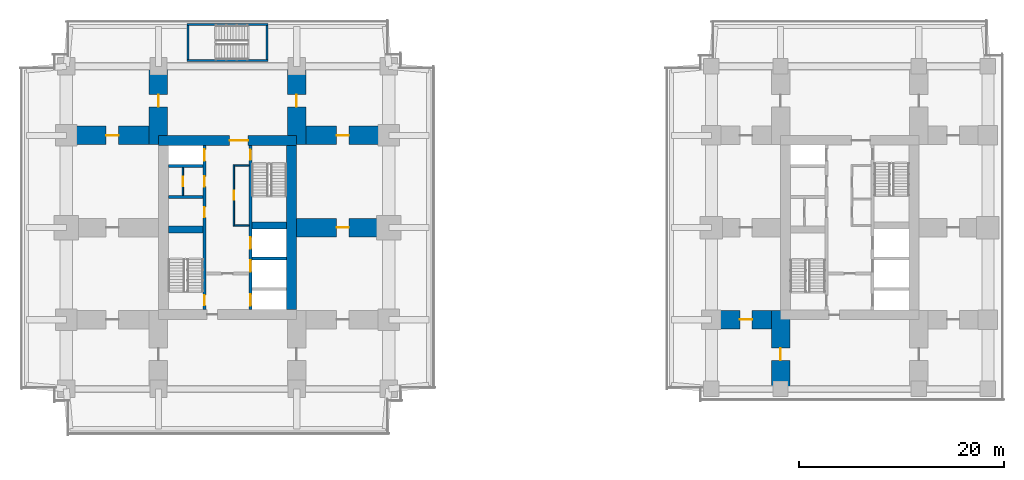
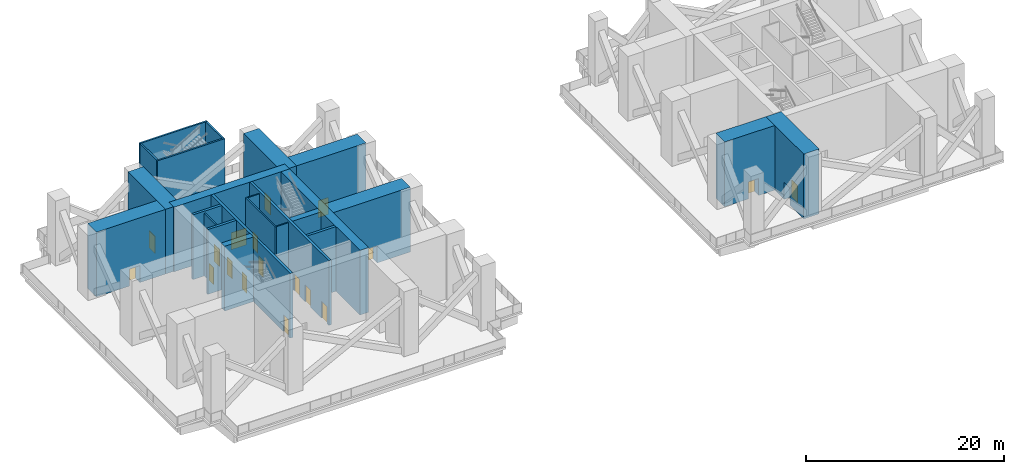
# One storey, part 4 of 11: 24 walls, 18 doors, 18 openings.
"""IFC4 building model written with IfcOpenShell, lengths in metres."""

from ifc_helpers import new_model, si_unit, direction, frame, frame_2d, origin, place, context, subcontext, project, spatial, rectangle, extrude, material, layer, layer_set, type_object, element, fill, save


model = new_model("IFC4")

# Units and contexts
model_context = context("Model", 3, precision=1e-05, world=origin(), true_north=direction((0.0, 1.0)))
body_context = subcontext(model_context, "Body", "Model", "MODEL_VIEW")
ifc_project = project(units=[si_unit("LENGTHUNIT", "METRE"), si_unit("AREAUNIT", "SQUARE_METRE"), si_unit("VOLUMEUNIT", "CUBIC_METRE"), si_unit("PLANEANGLEUNIT", "RADIAN"), si_unit("MASSUNIT", "GRAM", prefix="KILO")], contexts=[model_context])

# Site, building, storey
site_placement = place(None, origin())
site = spatial("IfcSite", under=ifc_project, at=site_placement, CompositionType="ELEMENT")
building_placement = place(site_placement, origin())
building = spatial("IfcBuilding", under=site, at=building_placement, Name="Namib Vertical Campus", CompositionType="ELEMENT")
storey_placement = place(building_placement, frame((0.0, 0.0, 169.0)))
storey = spatial("IfcBuildingStorey", under=building, at=storey_placement, Name="L40", CompositionType="ELEMENT", Elevation=169.0)

# Wall, openings, doors
ifc_material_1 = material(Name="Concrete C60/75", Category="concrete")
ifc_layer_1 = layer(ifc_material_1, 0.300048828125)
ifc_layer_set_1 = layer_set([ifc_layer_1], Name="Concrete C60/75")
wall_type_1 = type_object("IfcWallType", Name="Core inner wall 300", PredefinedType="SHEAR", material=ifc_layer_set_1)
wall_1_placement = place(storey_placement, frame((18.0, 12.25, 0.0), z_axis=(0.0, 0.0, 1.0), x_axis=(0.0, 1.0, 0.0)))
wall_1 = element("IfcWall", 1, at=wall_1_placement, inside=storey, type_object=wall_type_1, Name="Core inner wall A L40 W1", PredefinedType="SHEAR", context=body_context, shape_type="SweptSolid", body=[
    extrude(rectangle(XDim=16.0, YDim=0.300048828125, at=frame_2d((8.0, 0.0))), origin(), (0.0, 0.0, 1.0), 8.0),
])
opening_1_placement = place(wall_1_placement, frame((0.39990234375, 0.0, 0.0)))
opening_1 = element("IfcOpeningElement", 2, at=opening_1_placement, cuts=wall_1, Name="Opening FD1", PredefinedType="OPENING", context=body_context, shape_type="SweptSolid", body=[
    extrude(rectangle(XDim=1.0, YDim=2.10009765625, at=frame_2d((0.5, 1.050048828125))), frame((0.0, 0.159912109375, 0.0), z_axis=(0.0, -1.0, 0.0), x_axis=(1.0, 0.0, 0.0)), (0.0, 0.0, 1.0), 0.320068359375),
])
opening_2_placement = place(wall_1_placement, frame((14.52490234375, 0.0, 0.0)))
opening_2 = element("IfcOpeningElement", 3, at=opening_2_placement, cuts=wall_1, Name="Opening LD1", PredefinedType="OPENING", context=body_context, shape_type="SweptSolid", body=[
    extrude(rectangle(XDim=1.10009765625, YDim=2.10009765625, at=frame_2d((0.550048828125, 1.050048828125))), frame((0.0, 0.159912109375, 0.0), z_axis=(0.0, -1.0, 0.0), x_axis=(1.0, 0.0, 0.0)), (0.0, 0.0, 1.0), 0.320068359375),
])
opening_3_placement = place(wall_1_placement, frame((9.0, 0.0, 0.0)))
opening_3 = element("IfcOpeningElement", 4, at=opening_3_placement, cuts=wall_1, Name="Opening D1", PredefinedType="OPENING", context=body_context, shape_type="SweptSolid", body=[
    extrude(rectangle(XDim=1.0, YDim=2.10009765625, at=frame_2d((0.5, 1.050048828125))), frame((0.0, 0.159912109375, 0.0), z_axis=(0.0, -1.0, 0.0), x_axis=(1.0, 0.0, 0.0)), (0.0, 0.0, 1.0), 0.320068359375),
])
opening_4_placement = place(wall_1_placement, frame((12.0, 0.0, 0.0)))
opening_4 = element("IfcOpeningElement", 5, at=opening_4_placement, cuts=wall_1, Name="Opening D1", PredefinedType="OPENING", context=body_context, shape_type="SweptSolid", body=[
    extrude(rectangle(XDim=1.0, YDim=2.10009765625, at=frame_2d((0.5, 1.050048828125))), frame((0.0, 0.159912109375, 0.0), z_axis=(0.0, -1.0, 0.0), x_axis=(1.0, 0.0, 0.0)), (0.0, 0.0, 1.0), 0.320068359375),
])
ifc_material_2 = material(Name="Timber door leaf", Category="wood")
door_type_1 = type_object("IfcDoorType", Name="Door single 1000x2100", OperationType="SINGLE_SWING_LEFT", PredefinedType="DOOR", material=ifc_material_2)
door_1_placement = place(opening_3_placement, origin())
door_1 = element("IfcDoor", 6, at=door_1_placement, inside=storey, type_object=door_type_1, Name="Door D1 Staff pantry A L40 P1", OperationType="SINGLE_SWING_LEFT", OverallHeight=2.10009765625, OverallWidth=1.0, PredefinedType="DOOR", context=body_context, shape_type="SweptSolid", body=[
    extrude(rectangle(XDim=1.0, YDim=2.10009765625, at=frame_2d((0.5, 1.050048828125))), frame((0.0, 0.02490234375, 0.0), z_axis=(0.0, -1.0, 0.0), x_axis=(1.0, 0.0, 0.0)), (0.0, 0.0, 1.0), 0.050048828125),
])
fill(opening_3, door_1)
door_2_placement = place(opening_4_placement, origin())
door_2 = element("IfcDoor", 7, at=door_2_placement, inside=storey, type_object=door_type_1, Name="Door D1 Records store A L40 P2", OperationType="SINGLE_SWING_LEFT", OverallHeight=2.10009765625, OverallWidth=1.0, PredefinedType="DOOR", context=body_context, shape_type="SweptSolid", body=[
    extrude(rectangle(XDim=1.0, YDim=2.10009765625, at=frame_2d((0.5, 1.050048828125))), frame((0.0, 0.02490234375, 0.0), z_axis=(0.0, -1.0, 0.0), x_axis=(1.0, 0.0, 0.0)), (0.0, 0.0, 1.0), 0.050048828125),
])
fill(opening_4, door_2)
ifc_material_3 = material(Name="Steel fire door", Category="steel")
door_type_2 = type_object("IfcDoorType", Name="Fire door 1000x2100", OperationType="SINGLE_SWING_RIGHT", PredefinedType="DOOR", material=ifc_material_3)
door_3_placement = place(opening_1_placement, origin())
door_3 = element("IfcDoor", 8, at=door_3_placement, inside=storey, type_object=door_type_2, Name="Stair door FD1 A L40 S1", OperationType="SINGLE_SWING_LEFT", OverallHeight=2.10009765625, OverallWidth=1.0, PredefinedType="DOOR", context=body_context, shape_type="SweptSolid", body=[
    extrude(rectangle(XDim=1.0, YDim=2.10009765625, at=frame_2d((0.5, 1.050048828125))), frame((0.0, 0.02490234375, 0.0), z_axis=(0.0, -1.0, 0.0), x_axis=(1.0, 0.0, 0.0)), (0.0, 0.0, 1.0), 0.050048828125),
])
fill(opening_1, door_3)
ifc_material_4 = material(Name="Stainless steel lift door", Category="steel")
door_type_3 = type_object("IfcDoorType", Name="Lift landing door 1100x2100", OperationType="DOUBLE_DOOR_SLIDING", PredefinedType="DOOR", material=ifc_material_4)
door_4_placement = place(opening_2_placement, origin())
door_4 = element("IfcDoor", 9, at=door_4_placement, inside=storey, type_object=door_type_3, Name="Lift landing door LD1 A-P3 L40", OperationType="DOUBLE_DOOR_SLIDING", OverallHeight=2.10009765625, OverallWidth=1.10009765625, PredefinedType="DOOR", context=body_context, shape_type="SweptSolid", body=[
    extrude(rectangle(XDim=1.10009765625, YDim=2.10009765625, at=frame_2d((0.550048828125, 1.050048828125))), frame((0.0, 0.02490234375, 0.0), z_axis=(0.0, -1.0, 0.0), x_axis=(1.0, 0.0, 0.0)), (0.0, 0.0, 1.0), 0.050048828125),
])
fill(opening_2, door_4)

wall_2_placement = place(storey_placement, frame((22.5, 12.25, 0.0), z_axis=(0.0, 0.0, 1.0), x_axis=(0.0, 1.0, 0.0)))
wall_2 = element("IfcWall", 10, at=wall_2_placement, inside=storey, type_object=wall_type_1, Name="Core inner wall A L40 W2", PredefinedType="SHEAR", context=body_context, shape_type="SweptSolid", body=[
    extrude(rectangle(XDim=16.0, YDim=0.300048828125, at=frame_2d((8.0, 0.0))), origin(), (0.0, 0.0, 1.0), 8.0),
])
opening_5_placement = place(wall_2_placement, frame((14.60009765625, 0.0, 0.0)))
opening_5 = element("IfcOpeningElement", 11, at=opening_5_placement, cuts=wall_2, Name="Opening FD1", PredefinedType="OPENING", context=body_context, shape_type="SweptSolid", body=[
    extrude(rectangle(XDim=1.0, YDim=2.10009765625, at=frame_2d((0.5, 1.050048828125))), frame((0.0, 0.159912109375, 0.0), z_axis=(0.0, -1.0, 0.0), x_axis=(1.0, 0.0, 0.0)), (0.0, 0.0, 1.0), 0.320068359375),
])
opening_6_placement = place(wall_2_placement, frame((0.375, 0.0, 0.0)))
opening_6 = element("IfcOpeningElement", 12, at=opening_6_placement, cuts=wall_2, Name="Opening LD1", PredefinedType="OPENING", context=body_context, shape_type="SweptSolid", body=[
    extrude(rectangle(XDim=1.10009765625, YDim=2.10009765625, at=frame_2d((0.550048828125, 1.050048828125))), frame((0.0, 0.159912109375, 0.0), z_axis=(0.0, -1.0, 0.0), x_axis=(1.0, 0.0, 0.0)), (0.0, 0.0, 1.0), 0.320068359375),
])
opening_7_placement = place(wall_2_placement, frame((3.699951171875, 0.0, 0.0)))
opening_7 = element("IfcOpeningElement", 13, at=opening_7_placement, cuts=wall_2, Name="Opening LD1", PredefinedType="OPENING", context=body_context, shape_type="SweptSolid", body=[
    extrude(rectangle(XDim=1.10009765625, YDim=2.10009765625, at=frame_2d((0.550048828125, 1.050048828125))), frame((0.0, 0.159912109375, 0.0), z_axis=(0.0, -1.0, 0.0), x_axis=(1.0, 0.0, 0.0)), (0.0, 0.0, 1.0), 0.320068359375),
])
opening_8_placement = place(wall_2_placement, frame((5.949951171875, 0.0, 0.0)))
opening_8 = element("IfcOpeningElement", 14, at=opening_8_placement, cuts=wall_2, Name="Opening LD1", PredefinedType="OPENING", context=body_context, shape_type="SweptSolid", body=[
    extrude(rectangle(XDim=1.10009765625, YDim=2.10009765625, at=frame_2d((0.550048828125, 1.050048828125))), frame((0.0, 0.159912109375, 0.0), z_axis=(0.0, -1.0, 0.0), x_axis=(1.0, 0.0, 0.0)), (0.0, 0.0, 1.0), 0.320068359375),
])
door_5_placement = place(opening_5_placement, frame((1.0, 0.0, 0.0), z_axis=(0.0, 0.0, 1.0), x_axis=(-1.0, 0.0, 0.0)))
door_5 = element("IfcDoor", 15, at=door_5_placement, inside=storey, type_object=door_type_2, Name="Stair door FD1 A L40 S2", OperationType="SINGLE_SWING_LEFT", OverallHeight=2.10009765625, OverallWidth=1.0, PredefinedType="DOOR", context=body_context, shape_type="SweptSolid", body=[
    extrude(rectangle(XDim=1.0, YDim=2.10009765625, at=frame_2d((0.5, 1.050048828125))), frame((0.0, 0.02490234375, 0.0), z_axis=(0.0, -1.0, 0.0), x_axis=(1.0, 0.0, 0.0)), (0.0, 0.0, 1.0), 0.050048828125),
])
fill(opening_5, door_5)
door_6_placement = place(opening_6_placement, origin())
door_6 = element("IfcDoor", 16, at=door_6_placement, inside=storey, type_object=door_type_3, Name="Lift landing door LD1 A-FL1 L40", OperationType="DOUBLE_DOOR_SLIDING", OverallHeight=2.10009765625, OverallWidth=1.10009765625, PredefinedType="DOOR", context=body_context, shape_type="SweptSolid", body=[
    extrude(rectangle(XDim=1.10009765625, YDim=2.10009765625, at=frame_2d((0.550048828125, 1.050048828125))), frame((0.0, 0.02490234375, 0.0), z_axis=(0.0, -1.0, 0.0), x_axis=(1.0, 0.0, 0.0)), (0.0, 0.0, 1.0), 0.050048828125),
])
fill(opening_6, door_6)
door_7_placement = place(opening_7_placement, origin())
door_7 = element("IfcDoor", 17, at=door_7_placement, inside=storey, type_object=door_type_3, Name="Lift landing door LD1 A-P4 L40", OperationType="DOUBLE_DOOR_SLIDING", OverallHeight=2.10009765625, OverallWidth=1.10009765625, PredefinedType="DOOR", context=body_context, shape_type="SweptSolid", body=[
    extrude(rectangle(XDim=1.10009765625, YDim=2.10009765625, at=frame_2d((0.550048828125, 1.050048828125))), frame((0.0, 0.02490234375, 0.0), z_axis=(0.0, -1.0, 0.0), x_axis=(1.0, 0.0, 0.0)), (0.0, 0.0, 1.0), 0.050048828125),
])
fill(opening_7, door_7)
door_8_placement = place(opening_8_placement, origin())
door_8 = element("IfcDoor", 18, at=door_8_placement, inside=storey, type_object=door_type_3, Name="Lift landing door LD1 A-P5 L40", OperationType="DOUBLE_DOOR_SLIDING", OverallHeight=2.10009765625, OverallWidth=1.10009765625, PredefinedType="DOOR", context=body_context, shape_type="SweptSolid", body=[
    extrude(rectangle(XDim=1.10009765625, YDim=2.10009765625, at=frame_2d((0.550048828125, 1.050048828125))), frame((0.0, 0.02490234375, 0.0), z_axis=(0.0, -1.0, 0.0), x_axis=(1.0, 0.0, 0.0)), (0.0, 0.0, 1.0), 0.050048828125),
])
fill(opening_8, door_8)

# Walls
for number, where, z_axis, x_axis, name in (
    (19, (22.64990234375, 17.25, 0.0), (0.0, 0.0, 1.0), (1.0, 0.0, 0.0), "Core inner wall A L40 W6"),
    (20, (14.5, 23.25, 0.0), (0.0, 0.0, 1.0), (1.0, 0.0, 0.0), "Core inner wall A L40 W8"),
    (21, (14.5, 26.25, 0.0), (0.0, 0.0, 1.0), (1.0, 0.0, 0.0), "Core inner wall A L40 W9"),
):
    element("IfcWall", number, at=place(storey_placement, frame(where, z_axis=z_axis, x_axis=x_axis)), inside=storey, type_object=wall_type_1, Name=name, PredefinedType="SHEAR", context=body_context, shape_type="SweptSolid", body=[
        extrude(rectangle(XDim=3.35009765625, YDim=0.300048828125, at=frame_2d((1.675048828125, 0.0))), origin(), (0.0, 0.0, 1.0), 8.0),
    ])
ifc_material_5 = material(Name="Concrete C60/75", Category="concrete")
ifc_layer_2 = layer(ifc_material_5, 0.699951171875)
ifc_layer_set_2 = layer_set([ifc_layer_2], Name="Concrete C60/75")
wall_type_2 = type_object("IfcWallType", Name="Core shear wall 700", PredefinedType="SHEAR", material=ifc_layer_set_2)
for number, where, z_axis, x_axis, name in (
    (22, (14.5, 20.050048828125, 0.0), (0.0, 0.0, 1.0), (1.0, 0.0, 0.0), "Core shear wall A L40 W3"),
    (23, (22.64990234375, 20.449951171875, 0.0), (0.0, 0.0, 1.0), (1.0, 0.0, 0.0), "Core shear wall A L40 W7"),
):
    element("IfcWall", number, at=place(storey_placement, frame(where, z_axis=z_axis, x_axis=x_axis)), inside=storey, type_object=wall_type_2, Name=name, PredefinedType="SHEAR", context=body_context, shape_type="SweptSolid", body=[
        extrude(rectangle(XDim=3.35009765625, YDim=0.699951171875, at=frame_2d((1.675048828125, 0.0))), origin(), (0.0, 0.0, 1.0), 8.0),
    ])
ifc_material_6 = material(Name="Concrete C60/75", Category="concrete")
ifc_layer_3 = layer(ifc_material_6, 1.0)
ifc_layer_set_3 = layer_set([ifc_layer_3], Name="Concrete C60/75")
wall_type_3 = type_object("IfcWallType", Name="Core wall 1000", PredefinedType="SHEAR", material=ifc_layer_set_3)
wall_3_placement = place(storey_placement, frame((26.5, 12.25, 0.0), z_axis=(0.0, 0.0, 1.0), x_axis=(0.0, 1.0, 0.0)))
element("IfcWall", 24, at=wall_3_placement, inside=storey, type_object=wall_type_3, Name="Core wall A L40 2", PredefinedType="SHEAR", context=body_context, shape_type="SweptSolid", body=[
    extrude(rectangle(XDim=16.0, YDim=1.0, at=frame_2d((8.0, 0.0))), origin(), (0.0, 0.0, 1.0), 8.0),
])

# Wall, opening, door
wall_4_placement = place(storey_placement, frame((27.0, 28.75, 0.0), z_axis=(0.0, 0.0, 1.0), x_axis=(-1.0, 0.0, 0.0)))
wall_4 = element("IfcWall", 25, at=wall_4_placement, inside=storey, type_object=wall_type_3, Name="Core wall A L40 3", PredefinedType="SHEAR", context=body_context, shape_type="SweptSolid", body=[
    extrude(rectangle(XDim=13.5, YDim=1.0, at=frame_2d((6.75, 0.0))), origin(), (0.0, 0.0, 1.0), 8.0),
])
opening_9_placement = place(wall_4_placement, frame((4.75, 0.0, 0.0)))
opening_9 = element("IfcOpeningElement", 26, at=opening_9_placement, cuts=wall_4, Name="Opening FD2", PredefinedType="OPENING", context=body_context, shape_type="SweptSolid", body=[
    extrude(rectangle(XDim=1.800048828125, YDim=2.10009765625, at=frame_2d((0.89990234375, 1.050048828125))), frame((0.0, 0.510009765625, 0.0), z_axis=(0.0, -1.0, 0.0), x_axis=(1.0, 0.0, 0.0)), (0.0, 0.0, 1.0), 1.02001953125),
])
ifc_material_7 = material(Name="Steel fire door", Category="steel")
door_type_4 = type_object("IfcDoorType", Name="Fire door double 1800x2100", OperationType="DOUBLE_DOOR_SINGLE_SWING", PredefinedType="DOOR", material=ifc_material_7)
door_9_placement = place(opening_9_placement, frame((1.800048828125, 0.0, 0.0), z_axis=(0.0, 0.0, 1.0), x_axis=(-1.0, 0.0, 0.0)))
door_9 = element("IfcDoor", 27, at=door_9_placement, inside=storey, type_object=door_type_4, Name="Lift lobby door FD2 A L40", OperationType="DOUBLE_DOOR_SINGLE_SWING", OverallHeight=2.10009765625, OverallWidth=1.800048828125, PredefinedType="DOOR", context=body_context, shape_type="SweptSolid", body=[
    extrude(rectangle(XDim=1.800048828125, YDim=2.10009765625, at=frame_2d((0.89990234375, 1.050048828125))), frame((0.0, 0.02490234375, 0.0), z_axis=(0.0, -1.0, 0.0), x_axis=(1.0, 0.0, 0.0)), (0.0, 0.0, 1.0), 0.050048828125),
])
fill(opening_9, door_9)

ifc_material_8 = material(Name="Concrete C60/75", Category="concrete")
ifc_layer_4 = layer(ifc_material_8, 1.800048828125)
ifc_layer_set_4 = layer_set([ifc_layer_4], Name="Concrete C60/75")
wall_type_4 = type_object("IfcWallType", Name="Outrigger wall 1800", PredefinedType="SHEAR", material=ifc_layer_set_4)
wall_5_placement = place(storey_placement, frame((13.5, 28.35009765625, 0.0), z_axis=(0.0, 0.0, 1.0), x_axis=(0.0, 1.0, 0.0)))
wall_5 = element("IfcWall", 28, at=wall_5_placement, inside=storey, type_object=wall_type_4, Name="Outrigger wall A L40 OR3", PredefinedType="SHEAR", context=body_context, shape_type="SweptSolid", body=[
    extrude(rectangle(XDim=7.64990234375, YDim=1.800048828125, at=frame_2d((3.824951171875, 0.0))), origin(), (0.0, 0.0, 1.0), 8.0),
])
opening_10_placement = place(wall_5_placement, frame((3.675048828125, 0.0, 0.0)))
opening_10 = element("IfcOpeningElement", 29, at=opening_10_placement, cuts=wall_5, Name="Opening RD1", PredefinedType="OPENING", context=body_context, shape_type="SweptSolid", body=[
    extrude(rectangle(XDim=1.199951171875, YDim=2.10009765625, at=frame_2d((0.60009765625, 1.050048828125))), frame((0.0, 0.909912109375, 0.0), z_axis=(0.0, -1.0, 0.0), x_axis=(1.0, 0.0, 0.0)), (0.0, 0.0, 1.0), 1.820068359375),
])
ifc_material_9 = material(Name="Steel fire door", Category="steel")
door_type_5 = type_object("IfcDoorType", Name="Refuge door 1200x2100", OperationType="DOUBLE_DOOR_DOUBLE_SWING", PredefinedType="DOOR", material=ifc_material_9)
door_10_placement = place(opening_10_placement, origin())
door_10 = element("IfcDoor", 30, at=door_10_placement, inside=storey, type_object=door_type_5, Name="Refuge door RD1 A L40 OR3", OperationType="DOUBLE_DOOR_DOUBLE_SWING", OverallHeight=2.10009765625, OverallWidth=1.199951171875, PredefinedType="DOOR", context=body_context, shape_type="SweptSolid", body=[
    extrude(rectangle(XDim=1.199951171875, YDim=2.10009765625, at=frame_2d((0.60009765625, 1.050048828125))), frame((0.0, 0.02490234375, 0.0), z_axis=(0.0, -1.0, 0.0), x_axis=(1.0, 0.0, 0.0)), (0.0, 0.0, 1.0), 0.050048828125),
])
fill(opening_10, door_10)

wall_6_placement = place(storey_placement, frame((27.0, 28.35009765625, 0.0), z_axis=(0.0, 0.0, 1.0), x_axis=(0.0, 1.0, 0.0)))
wall_6 = element("IfcWall", 31, at=wall_6_placement, inside=storey, type_object=wall_type_4, Name="Outrigger wall A L40 OR4", PredefinedType="SHEAR", context=body_context, shape_type="SweptSolid", body=[
    extrude(rectangle(XDim=7.64990234375, YDim=1.800048828125, at=frame_2d((3.824951171875, 0.0))), origin(), (0.0, 0.0, 1.0), 8.0),
])
opening_11_placement = place(wall_6_placement, frame((3.675048828125, 0.0, 0.0)))
opening_11 = element("IfcOpeningElement", 32, at=opening_11_placement, cuts=wall_6, Name="Opening RD1", PredefinedType="OPENING", context=body_context, shape_type="SweptSolid", body=[
    extrude(rectangle(XDim=1.199951171875, YDim=2.10009765625, at=frame_2d((0.60009765625, 1.050048828125))), frame((0.0, 0.909912109375, 0.0), z_axis=(0.0, -1.0, 0.0), x_axis=(1.0, 0.0, 0.0)), (0.0, 0.0, 1.0), 1.820068359375),
])
door_11_placement = place(opening_11_placement, origin())
door_11 = element("IfcDoor", 33, at=door_11_placement, inside=storey, type_object=door_type_5, Name="Refuge door RD1 A L40 OR4", OperationType="DOUBLE_DOOR_DOUBLE_SWING", OverallHeight=2.10009765625, OverallWidth=1.199951171875, PredefinedType="DOOR", context=body_context, shape_type="SweptSolid", body=[
    extrude(rectangle(XDim=1.199951171875, YDim=2.10009765625, at=frame_2d((0.60009765625, 1.050048828125))), frame((0.0, 0.02490234375, 0.0), z_axis=(0.0, -1.0, 0.0), x_axis=(1.0, 0.0, 0.0)), (0.0, 0.0, 1.0), 0.050048828125),
])
fill(opening_11, door_11)

wall_7_placement = place(storey_placement, frame((27.0, 20.25, 0.0), z_axis=(0.0, 0.0, 1.0), x_axis=(1.0, 0.0, 0.0)))
wall_7 = element("IfcWall", 34, at=wall_7_placement, inside=storey, type_object=wall_type_4, Name="Outrigger wall A L40 OR6", PredefinedType="SHEAR", context=body_context, shape_type="SweptSolid", body=[
    extrude(rectangle(XDim=9.0, YDim=1.800048828125, at=frame_2d((4.5, 0.0))), origin(), (0.0, 0.0, 1.0), 8.0),
])
opening_12_placement = place(wall_7_placement, frame((3.89990234375, 0.0, 0.0)))
opening_12 = element("IfcOpeningElement", 35, at=opening_12_placement, cuts=wall_7, Name="Opening RD1", PredefinedType="OPENING", context=body_context, shape_type="SweptSolid", body=[
    extrude(rectangle(XDim=1.199951171875, YDim=2.10009765625, at=frame_2d((0.60009765625, 1.050048828125))), frame((0.0, 0.909912109375, 0.0), z_axis=(0.0, -1.0, 0.0), x_axis=(1.0, 0.0, 0.0)), (0.0, 0.0, 1.0), 1.820068359375),
])
door_12_placement = place(opening_12_placement, origin())
door_12 = element("IfcDoor", 36, at=door_12_placement, inside=storey, type_object=door_type_5, Name="Refuge door RD1 A L40 OR6", OperationType="DOUBLE_DOOR_DOUBLE_SWING", OverallHeight=2.10009765625, OverallWidth=1.199951171875, PredefinedType="DOOR", context=body_context, shape_type="SweptSolid", body=[
    extrude(rectangle(XDim=1.199951171875, YDim=2.10009765625, at=frame_2d((0.60009765625, 1.050048828125))), frame((0.0, 0.02490234375, 0.0), z_axis=(0.0, -1.0, 0.0), x_axis=(1.0, 0.0, 0.0)), (0.0, 0.0, 1.0), 0.050048828125),
])
fill(opening_12, door_12)

wall_8_placement = place(storey_placement, frame((4.5, 29.25, 0.0), z_axis=(0.0, 0.0, 1.0), x_axis=(1.0, 0.0, 0.0)))
wall_8 = element("IfcWall", 37, at=wall_8_placement, inside=storey, type_object=wall_type_4, Name="Outrigger wall A L40 OR9", PredefinedType="SHEAR", context=body_context, shape_type="SweptSolid", body=[
    extrude(rectangle(XDim=8.10009765625, YDim=1.800048828125, at=frame_2d((4.050048828125, 0.0))), origin(), (0.0, 0.0, 1.0), 8.0),
])
opening_13_placement = place(wall_8_placement, frame((3.89990234375, 0.0, 0.0)))
opening_13 = element("IfcOpeningElement", 38, at=opening_13_placement, cuts=wall_8, Name="Opening RD1", PredefinedType="OPENING", context=body_context, shape_type="SweptSolid", body=[
    extrude(rectangle(XDim=1.199951171875, YDim=2.10009765625, at=frame_2d((0.60009765625, 1.050048828125))), frame((0.0, 0.909912109375, 0.0), z_axis=(0.0, -1.0, 0.0), x_axis=(1.0, 0.0, 0.0)), (0.0, 0.0, 1.0), 1.820068359375),
])
door_13_placement = place(opening_13_placement, origin())
door_13 = element("IfcDoor", 39, at=door_13_placement, inside=storey, type_object=door_type_5, Name="Refuge door RD1 A L40 OR9", OperationType="DOUBLE_DOOR_DOUBLE_SWING", OverallHeight=2.10009765625, OverallWidth=1.199951171875, PredefinedType="DOOR", context=body_context, shape_type="SweptSolid", body=[
    extrude(rectangle(XDim=1.199951171875, YDim=2.10009765625, at=frame_2d((0.60009765625, 1.050048828125))), frame((0.0, 0.02490234375, 0.0), z_axis=(0.0, -1.0, 0.0), x_axis=(1.0, 0.0, 0.0)), (0.0, 0.0, 1.0), 0.050048828125),
])
fill(opening_13, door_13)

wall_9_placement = place(storey_placement, frame((27.89990234375, 29.25, 0.0), z_axis=(0.0, 0.0, 1.0), x_axis=(1.0, 0.0, 0.0)))
wall_9 = element("IfcWall", 40, at=wall_9_placement, inside=storey, type_object=wall_type_4, Name="Outrigger wall A L40 OR10", PredefinedType="SHEAR", context=body_context, shape_type="SweptSolid", body=[
    extrude(rectangle(XDim=8.10009765625, YDim=1.800048828125, at=frame_2d((4.050048828125, 0.0))), origin(), (0.0, 0.0, 1.0), 8.0),
])
opening_14_placement = place(wall_9_placement, frame((3.0, 0.0, 0.0)))
opening_14 = element("IfcOpeningElement", 41, at=opening_14_placement, cuts=wall_9, Name="Opening RD1", PredefinedType="OPENING", context=body_context, shape_type="SweptSolid", body=[
    extrude(rectangle(XDim=1.199951171875, YDim=2.10009765625, at=frame_2d((0.60009765625, 1.050048828125))), frame((0.0, 0.909912109375, 0.0), z_axis=(0.0, -1.0, 0.0), x_axis=(1.0, 0.0, 0.0)), (0.0, 0.0, 1.0), 1.820068359375),
])
door_14_placement = place(opening_14_placement, origin())
door_14 = element("IfcDoor", 42, at=door_14_placement, inside=storey, type_object=door_type_5, Name="Refuge door RD1 A L40 OR10", OperationType="DOUBLE_DOOR_DOUBLE_SWING", OverallHeight=2.10009765625, OverallWidth=1.199951171875, PredefinedType="DOOR", context=body_context, shape_type="SweptSolid", body=[
    extrude(rectangle(XDim=1.199951171875, YDim=2.10009765625, at=frame_2d((0.60009765625, 1.050048828125))), frame((0.0, 0.02490234375, 0.0), z_axis=(0.0, -1.0, 0.0), x_axis=(1.0, 0.0, 0.0)), (0.0, 0.0, 1.0), 0.050048828125),
])
fill(opening_14, door_14)

wall_10_placement = place(storey_placement, frame((74.25, 4.5, 0.0), z_axis=(0.0, 0.0, 1.0), x_axis=(0.0, 1.0, 0.0)))
wall_10 = element("IfcWall", 43, at=wall_10_placement, inside=storey, type_object=wall_type_4, Name="Outrigger wall B L40 OR1", PredefinedType="SHEAR", context=body_context, shape_type="SweptSolid", body=[
    extrude(rectangle(XDim=7.64990234375, YDim=1.800048828125, at=frame_2d((3.824951171875, 0.0))), origin(), (0.0, 0.0, 1.0), 8.0),
])
opening_15_placement = place(wall_10_placement, frame((2.77490234375, 0.0, 0.0)))
opening_15 = element("IfcOpeningElement", 44, at=opening_15_placement, cuts=wall_10, Name="Opening RD1", PredefinedType="OPENING", context=body_context, shape_type="SweptSolid", body=[
    extrude(rectangle(XDim=1.199951171875, YDim=2.10009765625, at=frame_2d((0.60009765625, 1.050048828125))), frame((0.0, 0.909912109375, 0.0), z_axis=(0.0, -1.0, 0.0), x_axis=(1.0, 0.0, 0.0)), (0.0, 0.0, 1.0), 1.820068359375),
])
door_15_placement = place(opening_15_placement, origin())
door_15 = element("IfcDoor", 45, at=door_15_placement, inside=storey, type_object=door_type_5, Name="Refuge door RD1 B L40 OR1", OperationType="DOUBLE_DOOR_DOUBLE_SWING", OverallHeight=2.10009765625, OverallWidth=1.199951171875, PredefinedType="DOOR", context=body_context, shape_type="SweptSolid", body=[
    extrude(rectangle(XDim=1.199951171875, YDim=2.10009765625, at=frame_2d((0.60009765625, 1.050048828125))), frame((0.0, 0.02490234375, 0.0), z_axis=(0.0, -1.0, 0.0), x_axis=(1.0, 0.0, 0.0)), (0.0, 0.0, 1.0), 0.050048828125),
])
fill(opening_15, door_15)

wall_11_placement = place(storey_placement, frame((67.5, 11.25, 0.0), z_axis=(0.0, 0.0, 1.0), x_axis=(1.0, 0.0, 0.0)))
wall_11 = element("IfcWall", 46, at=wall_11_placement, inside=storey, type_object=wall_type_4, Name="Outrigger wall B L40 OR7", PredefinedType="SHEAR", context=body_context, shape_type="SweptSolid", body=[
    extrude(rectangle(XDim=5.85009765625, YDim=1.800048828125, at=frame_2d((2.925048828125, 0.0))), origin(), (0.0, 0.0, 1.0), 8.0),
])
opening_16_placement = place(wall_11_placement, frame((2.77490234375, 0.0, 0.0)))
opening_16 = element("IfcOpeningElement", 47, at=opening_16_placement, cuts=wall_11, Name="Opening RD1", PredefinedType="OPENING", context=body_context, shape_type="SweptSolid", body=[
    extrude(rectangle(XDim=1.199951171875, YDim=2.10009765625, at=frame_2d((0.60009765625, 1.050048828125))), frame((0.0, 0.909912109375, 0.0), z_axis=(0.0, -1.0, 0.0), x_axis=(1.0, 0.0, 0.0)), (0.0, 0.0, 1.0), 1.820068359375),
])
door_16_placement = place(opening_16_placement, origin())
door_16 = element("IfcDoor", 48, at=door_16_placement, inside=storey, type_object=door_type_5, Name="Refuge door RD1 B L40 OR7", OperationType="DOUBLE_DOOR_DOUBLE_SWING", OverallHeight=2.10009765625, OverallWidth=1.199951171875, PredefinedType="DOOR", context=body_context, shape_type="SweptSolid", body=[
    extrude(rectangle(XDim=1.199951171875, YDim=2.10009765625, at=frame_2d((0.60009765625, 1.050048828125))), frame((0.0, 0.02490234375, 0.0), z_axis=(0.0, -1.0, 0.0), x_axis=(1.0, 0.0, 0.0)), (0.0, 0.0, 1.0), 0.050048828125),
])
fill(opening_16, door_16)

ifc_material_10 = material(Name="Gypsum board on steel studs", Category="steel")
ifc_layer_5 = layer(ifc_material_10, 0.14990234375)
ifc_layer_set_5 = layer_set([ifc_layer_5], Name="Gypsum board on steel studs")
wall_type_5 = type_object("IfcWallType", Name="Partition 150", PredefinedType="PARTITIONING", material=ifc_layer_set_5)
wall_12_placement = place(storey_placement, frame((20.875, 20.39990234375, 0.0), z_axis=(0.0, 0.0, 1.0), x_axis=(0.0, 1.0, 0.0)))
wall_12 = element("IfcWall", 49, at=wall_12_placement, inside=storey, type_object=wall_type_5, Name="Partition A L40 Store front", PredefinedType="PARTITIONING", context=body_context, shape_type="SweptSolid", body=[
    extrude(rectangle(XDim=6.0, YDim=0.14990234375, at=frame_2d((3.0, 0.0))), origin(), (0.0, 0.0, 1.0), 7.75),
])
opening_17_placement = place(wall_12_placement, frame((2.550048828125, 0.0, 0.0)))
opening_17 = element("IfcOpeningElement", 50, at=opening_17_placement, cuts=wall_12, Name="Opening D3", PredefinedType="OPENING", context=body_context, shape_type="SweptSolid", body=[
    extrude(rectangle(XDim=0.89990234375, YDim=2.10009765625, at=frame_2d((0.449951171875, 1.050048828125))), frame((0.0, 0.0849609375, 0.0), z_axis=(0.0, -1.0, 0.0), x_axis=(1.0, 0.0, 0.0)), (0.0, 0.0, 1.0), 0.169921875),
])
ifc_material_11 = material(Name="Timber door leaf", Category="wood")
door_type_6 = type_object("IfcDoorType", Name="Toilet door 900x2100", OperationType="SINGLE_SWING_LEFT", PredefinedType="DOOR", material=ifc_material_11)
door_17_placement = place(opening_17_placement, frame((0.89990234375, 0.0, 0.0), z_axis=(0.0, 0.0, 1.0), x_axis=(-1.0, 0.0, 0.0)))
door_17 = element("IfcDoor", 51, at=door_17_placement, inside=storey, type_object=door_type_6, Name="Door D3 Store A L40", OperationType="SINGLE_SWING_RIGHT", OverallHeight=2.10009765625, OverallWidth=0.89990234375, PredefinedType="DOOR", context=body_context, shape_type="SweptSolid", body=[
    extrude(rectangle(XDim=0.89990234375, YDim=2.10009765625, at=frame_2d((0.449951171875, 1.050048828125))), frame((0.0, 0.02490234375, 0.0), z_axis=(0.0, -1.0, 0.0), x_axis=(1.0, 0.0, 0.0)), (0.0, 0.0, 1.0), 0.050048828125),
])
fill(opening_17, door_17)

# Walls
for number, where, z_axis, x_axis, name in (
    (52, (20.949951171875, 20.47509765625, 0.0), (0.0, 0.0, 1.0), (1.0, 0.0, 0.0), "Partition A L40 Store end 1"),
    (53, (20.949951171875, 26.324951171875, 0.0), (0.0, 0.0, 1.0), (1.0, 0.0, 0.0), "Partition A L40 Store end 2"),
):
    element("IfcWall", number, at=place(storey_placement, frame(where, z_axis=z_axis, x_axis=x_axis)), inside=storey, type_object=wall_type_5, Name=name, PredefinedType="PARTITIONING", context=body_context, shape_type="SweptSolid", body=[
        extrude(rectangle(XDim=1.400146484375, YDim=0.14990234375, at=frame_2d((0.7001953125, 0.0))), origin(), (0.0, 0.0, 1.0), 7.75),
    ])

# Wall, opening, door
wall_13_placement = place(storey_placement, frame((15.875, 23.39990234375, 0.0), z_axis=(0.0, 0.0, 1.0), x_axis=(0.0, 1.0, 0.0)))
wall_13 = element("IfcWall", 54, at=wall_13_placement, inside=storey, type_object=wall_type_5, Name="Partition A L40 Records store P2 back", PredefinedType="PARTITIONING", context=body_context, shape_type="SweptSolid", body=[
    extrude(rectangle(XDim=2.7001953125, YDim=0.14990234375, at=frame_2d((1.35009765625, 0.0))), origin(), (0.0, 0.0, 1.0), 7.75),
])
opening_18_placement = place(wall_13_placement, frame((0.89990234375, 0.0, 0.0)))
opening_18 = element("IfcOpeningElement", 55, at=opening_18_placement, cuts=wall_13, Name="Opening D3", PredefinedType="OPENING", context=body_context, shape_type="SweptSolid", body=[
    extrude(rectangle(XDim=0.89990234375, YDim=2.10009765625, at=frame_2d((0.449951171875, 1.050048828125))), frame((0.0, 0.0849609375, 0.0), z_axis=(0.0, -1.0, 0.0), x_axis=(1.0, 0.0, 0.0)), (0.0, 0.0, 1.0), 0.169921875),
])
door_18_placement = place(opening_18_placement, origin())
door_18 = element("IfcDoor", 56, at=door_18_placement, inside=storey, type_object=door_type_6, Name="Door D3 Store A L40 P2", OperationType="SINGLE_SWING_LEFT", OverallHeight=2.10009765625, OverallWidth=0.89990234375, PredefinedType="DOOR", context=body_context, shape_type="SweptSolid", body=[
    extrude(rectangle(XDim=0.89990234375, YDim=2.10009765625, at=frame_2d((0.449951171875, 1.050048828125))), frame((0.0, 0.02490234375, 0.0), z_axis=(0.0, -1.0, 0.0), x_axis=(1.0, 0.0, 0.0)), (0.0, 0.0, 1.0), 0.050048828125),
])
fill(opening_18, door_18)

# Walls
ifc_material_12 = material(Name="Concrete C40/50", Category="concrete")
ifc_layer_6 = layer(ifc_material_12, 0.199951171875)
ifc_layer_set_6 = layer_set([ifc_layer_6], Name="Concrete C40/50")
wall_type_6 = type_object("IfcWallType", Name="Stair enclosure wall RC 200", PredefinedType="SOLIDWALL", material=ifc_layer_set_6)
for number, where, z_axis, x_axis, name in (
    (57, (16.300048828125, 36.550048828125, 0.0), (0.0, 0.0, 1.0), (1.0, 0.0, 0.0), "Stair enclosure wall A-S3 L40 S"),
    (58, (16.300048828125, 40.10009765625, 0.0), (0.0, 0.0, 1.0), (1.0, 0.0, 0.0), "Stair enclosure wall A-S3 L40 N"),
):
    element("IfcWall", number, at=place(storey_placement, frame(where, z_axis=z_axis, x_axis=x_axis)), inside=storey, type_object=wall_type_6, Name=name, PredefinedType="SOLIDWALL", context=body_context, shape_type="SweptSolid", body=[
        extrude(rectangle(XDim=7.89990234375, YDim=0.199951171875, at=frame_2d((3.949951171875, 0.0))), origin(), (0.0, 0.0, 1.0), 7.75),
    ])
for number, where, z_axis, x_axis, name in (
    (59, (16.39990234375, 36.64990234375, 0.0), (0.0, 0.0, 1.0), (0.0, 1.0, 0.0), "Stair enclosure wall A-S3 L40 W"),
    (60, (24.10009765625, 36.64990234375, 0.0), (0.0, 0.0, 1.0), (0.0, 1.0, 0.0), "Stair enclosure wall A-S3 L40 E"),
):
    element("IfcWall", number, at=place(storey_placement, frame(where, z_axis=z_axis, x_axis=x_axis)), inside=storey, type_object=wall_type_6, Name=name, PredefinedType="SOLIDWALL", context=body_context, shape_type="SweptSolid", body=[
        extrude(rectangle(XDim=3.35009765625, YDim=0.199951171875, at=frame_2d((1.675048828125, 0.0))), origin(), (0.0, 0.0, 1.0), 7.75),
    ])

save(model, "model.ifc")
